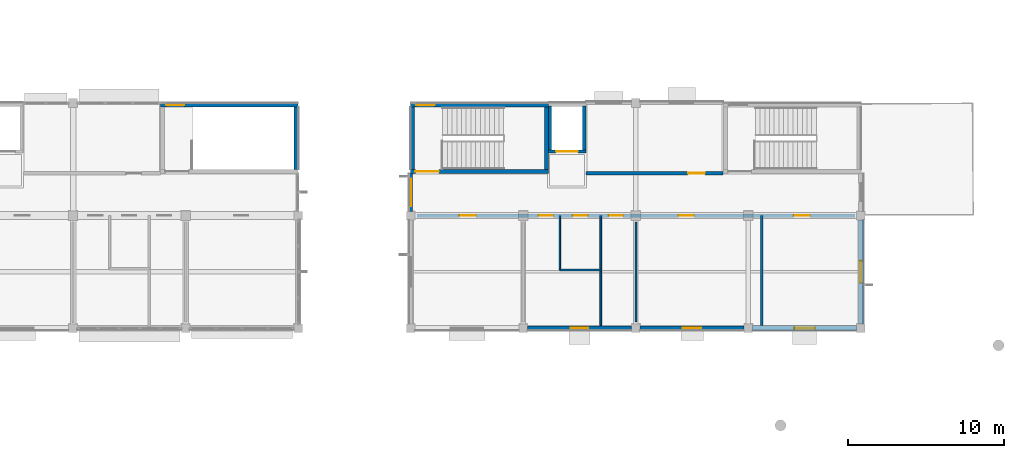
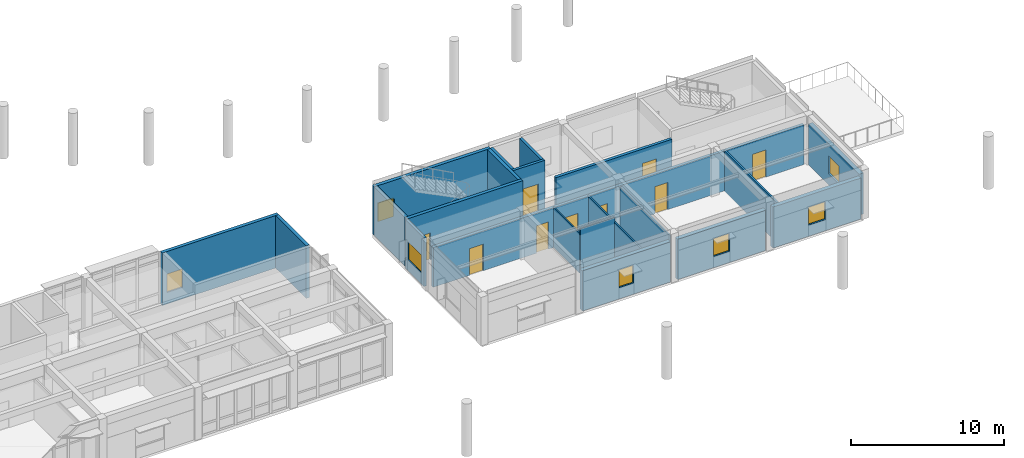
# One storey, part 19 of 41: 21 walls, 9 doors, 7 windows, 16 openings.
"""IFC4 building model written with IfcOpenShell, lengths in metres."""

from ifc_helpers import new_model, si_unit, direction, frame, frame_2d, origin, place, context, subcontext, project, spatial, rectangle, extrude, material, layer, layer_set, type_object, element, fill, save


model = new_model("IFC4")

# Units and contexts
model_context = context("Model", 3, precision=1e-05, world=origin(), true_north=direction((0.0, 1.0)))
body_context = subcontext(model_context, "Body", "Model", "MODEL_VIEW")
ifc_project = project(units=[si_unit("LENGTHUNIT", "METRE"), si_unit("AREAUNIT", "SQUARE_METRE"), si_unit("VOLUMEUNIT", "CUBIC_METRE"), si_unit("PLANEANGLEUNIT", "RADIAN"), si_unit("MASSUNIT", "GRAM", prefix="KILO")], contexts=[model_context])

# Site, building, storey
site_placement = place(None, origin())
site = spatial("IfcSite", under=ifc_project, at=site_placement, CompositionType="ELEMENT")
building_placement = place(site_placement, origin())
building = spatial("IfcBuilding", under=site, at=building_placement, Name="Namkhue Oval Health Centre", CompositionType="ELEMENT")
storey_placement = place(building_placement, frame((0.0, 0.0, 13.800048828125)))
storey = spatial("IfcBuildingStorey", under=building, at=storey_placement, Name="L03", CompositionType="ELEMENT", Elevation=13.800048828125)

# Wall, opening, window
ifc_material_1 = material(Name="Autoclaved aerated concrete blockwork M7.5", Category="masonry")
ifc_layer_1 = layer(ifc_material_1, 0.199951171875)
ifc_layer_set_1 = layer_set([ifc_layer_1], Name="Autoclaved aerated concrete blockwork M7.5")
wall_type_1 = type_object("IfcWallType", Name="EXTERIOR ENVELOPE WALL 200", PredefinedType="STANDARD", material=ifc_layer_set_1)
wall_1_placement = place(storey_placement, frame((93.60009765625, 24.298095703125, 0.0), z_axis=(0.0, 0.0, 1.0), x_axis=(0.0, -1.0, 0.0)))
wall_1 = element("IfcWall", 1, at=wall_1_placement, inside=storey, type_object=wall_type_1, Name="Volume V5 L03 Exterior Envelope Wall 147", PredefinedType="STANDARD", context=body_context, shape_type="SweptSolid", body=[
    extrude(rectangle(XDim=2.427001953125, YDim=0.199951171875, at=frame_2d((1.21337890625, 0.0))), origin(), (0.0, 0.0, 1.0), 3.8798828125),
])
opening_1_placement = place(wall_1_placement, frame((0.33837890625, 0.0, 0.89990234375)))
opening_1 = element("IfcOpeningElement", 2, at=opening_1_placement, cuts=wall_1, Name="Opening WN-17", PredefinedType="OPENING", context=body_context, shape_type="SweptSolid", body=[
    extrude(rectangle(XDim=1.75, YDim=1.419921875, at=frame_2d((0.875, 0.7099609375))), frame((0.0, 0.10986328125, 0.0), z_axis=(0.0, -1.0, 0.0), x_axis=(1.0, 0.0, 0.0)), (0.0, 0.0, 1.0), 0.219970703125),
])
ifc_material_2 = material(Name="Thermally broken low-E laminated double glazing", Category="glass")
window_type_1 = type_object("IfcWindowType", Name="EXTERIOR WINDOW 1750X1420", PartitioningType="SINGLE_PANEL", PredefinedType="WINDOW", material=ifc_material_2)
window_1_placement = place(opening_1_placement, origin())
window_1 = element("IfcWindow", 3, at=window_1_placement, inside=storey, type_object=window_type_1, Name="Volume V5 L03 Exterior Window 107", OverallHeight=1.419921875, OverallWidth=1.75, PartitioningType="SINGLE_PANEL", PredefinedType="WINDOW", context=body_context, shape_type="SweptSolid", body=[
    extrude(rectangle(XDim=1.75, YDim=1.419921875, at=frame_2d((0.875, 0.7099609375))), frame((0.0, 0.030029296875, 0.0), z_axis=(0.0, -1.0, 0.0), x_axis=(1.0, 0.0, 0.0)), (0.0, 0.0, 1.0), 0.06005859375),
])
fill(opening_1, window_1)

ifc_layer_2 = layer(ifc_material_1, 0.2900390625)
ifc_layer_set_2 = layer_set([ifc_layer_2], Name="Autoclaved aerated concrete blockwork M7.5")
wall_type_2 = type_object("IfcWallType", Name="EXTERIOR ENVELOPE WALL 290", PredefinedType="STANDARD", material=ifc_layer_set_2)
wall_2_placement = place(storey_placement, frame((101.071044921875, 14.39990234375, 0.0), z_axis=(0.0, 0.0, 1.0), x_axis=(1.0, 0.0, 0.0)))
wall_2 = element("IfcWall", 4, at=wall_2_placement, inside=storey, type_object=wall_type_2, Name="Volume V5 L03 Exterior Envelope Wall 140", PredefinedType="STANDARD", context=body_context, shape_type="SweptSolid", body=[
    extrude(rectangle(XDim=6.657958984375, YDim=0.2900390625, at=frame_2d((3.3291015625, 0.0))), origin(), (0.0, 0.0, 1.0), 3.22998046875),
])
opening_2_placement = place(wall_2_placement, frame((2.779052734375, 0.0, 0.89990234375)))
opening_2 = element("IfcOpeningElement", 5, at=opening_2_placement, cuts=wall_2, Name="Opening WN-11", PredefinedType="OPENING", context=body_context, shape_type="SweptSolid", body=[
    extrude(rectangle(XDim=1.10009765625, YDim=1.419921875, at=frame_2d((0.550048828125, 0.7099609375))), frame((0.0, 0.155029296875, 0.0), z_axis=(0.0, -1.0, 0.0), x_axis=(1.0, 0.0, 0.0)), (0.0, 0.0, 1.0), 0.31005859375),
])
window_type_2 = type_object("IfcWindowType", Name="EXTERIOR WINDOW 1100X1420", PartitioningType="SINGLE_PANEL", PredefinedType="WINDOW", material=ifc_material_2)
window_2_placement = place(opening_2_placement, origin())
window_2 = element("IfcWindow", 6, at=window_2_placement, inside=storey, type_object=window_type_2, Name="Volume V5 L03 Exterior Window 101", OverallHeight=1.419921875, OverallWidth=1.10009765625, PartitioningType="SINGLE_PANEL", PredefinedType="WINDOW", context=body_context, shape_type="SweptSolid", body=[
    extrude(rectangle(XDim=1.10009765625, YDim=1.419921875, at=frame_2d((0.550048828125, 0.7099609375))), frame((0.0, 0.030029296875, 0.0), z_axis=(0.0, -1.0, 0.0), x_axis=(1.0, 0.0, 0.0)), (0.0, 0.0, 1.0), 0.06005859375),
])
fill(opening_2, window_2)

ifc_layer_3 = layer(ifc_material_1, 0.300048828125)
ifc_layer_set_3 = layer_set([ifc_layer_3], Name="Autoclaved aerated concrete blockwork M7.5")
wall_type_3 = type_object("IfcWallType", Name="EXTERIOR ENVELOPE WALL 300", PredefinedType="STANDARD", material=ifc_layer_set_3)
wall_3_placement = place(storey_placement, frame((108.27099609375, 14.39990234375, 0.0), z_axis=(0.0, 0.0, 1.0), x_axis=(1.0, 0.0, 0.0)))
wall_3 = element("IfcWall", 7, at=wall_3_placement, inside=storey, type_object=wall_type_3, Name="Volume V5 L03 Exterior Envelope Wall 141", PredefinedType="STANDARD", context=body_context, shape_type="SweptSolid", body=[
    extrude(rectangle(XDim=6.657958984375, YDim=0.300048828125, at=frame_2d((3.3291015625, 0.0))), origin(), (0.0, 0.0, 1.0), 3.22998046875),
])
opening_3_placement = place(wall_3_placement, frame((2.72900390625, 0.0, 0.89990234375)))
opening_3 = element("IfcOpeningElement", 8, at=opening_3_placement, cuts=wall_3, Name="Opening WN-12", PredefinedType="OPENING", context=body_context, shape_type="SweptSolid", body=[
    extrude(rectangle(XDim=1.199951171875, YDim=1.419921875, at=frame_2d((0.60009765625, 0.7099609375))), frame((0.0, 0.159912109375, 0.0), z_axis=(0.0, -1.0, 0.0), x_axis=(1.0, 0.0, 0.0)), (0.0, 0.0, 1.0), 0.320068359375),
])
window_type_3 = type_object("IfcWindowType", Name="EXTERIOR WINDOW 1200X1420", PartitioningType="SINGLE_PANEL", PredefinedType="WINDOW", material=ifc_material_2)
window_3_placement = place(opening_3_placement, origin())
window_3 = element("IfcWindow", 9, at=window_3_placement, inside=storey, type_object=window_type_3, Name="Volume V5 L03 Exterior Window 102", OverallHeight=1.419921875, OverallWidth=1.199951171875, PartitioningType="SINGLE_PANEL", PredefinedType="WINDOW", context=body_context, shape_type="SweptSolid", body=[
    extrude(rectangle(XDim=1.199951171875, YDim=1.419921875, at=frame_2d((0.60009765625, 0.7099609375))), frame((0.0, 0.030029296875, 0.0), z_axis=(0.0, -1.0, 0.0), x_axis=(1.0, 0.0, 0.0)), (0.0, 0.0, 1.0), 0.06005859375),
])
fill(opening_3, window_3)

ifc_layer_4 = layer(ifc_material_1, 0.31005859375)
ifc_layer_set_4 = layer_set([ifc_layer_4], Name="Autoclaved aerated concrete blockwork M7.5")
wall_type_4 = type_object("IfcWallType", Name="EXTERIOR ENVELOPE WALL 310", PredefinedType="STANDARD", material=ifc_layer_set_4)
wall_4_placement = place(storey_placement, frame((115.470947265625, 14.39990234375, 0.0), z_axis=(0.0, 0.0, 1.0), x_axis=(1.0, 0.0, 0.0)))
wall_4 = element("IfcWall", 10, at=wall_4_placement, inside=storey, type_object=wall_type_4, Name="Volume V5 L03 Exterior Envelope Wall 142", PredefinedType="STANDARD", context=body_context, shape_type="SweptSolid", body=[
    extrude(rectangle(XDim=6.657958984375, YDim=0.31005859375, at=frame_2d((3.3291015625, 0.0))), origin(), (0.0, 0.0, 1.0), 3.27783203125),
])
opening_4_placement = place(wall_4_placement, frame((2.678955078125, 0.0, 0.89990234375)))
opening_4 = element("IfcOpeningElement", 11, at=opening_4_placement, cuts=wall_4, Name="Opening WN-13", PredefinedType="OPENING", context=body_context, shape_type="SweptSolid", body=[
    extrude(rectangle(XDim=1.300048828125, YDim=1.419921875, at=frame_2d((0.64990234375, 0.7099609375))), frame((0.0, 0.1650390625, 0.0), z_axis=(0.0, -1.0, 0.0), x_axis=(1.0, 0.0, 0.0)), (0.0, 0.0, 1.0), 0.330078125),
])
window_type_4 = type_object("IfcWindowType", Name="EXTERIOR WINDOW 1300X1420", PartitioningType="SINGLE_PANEL", PredefinedType="WINDOW", material=ifc_material_2)
window_4_placement = place(opening_4_placement, origin())
window_4 = element("IfcWindow", 12, at=window_4_placement, inside=storey, type_object=window_type_4, Name="Volume V5 L03 Exterior Window 103", OverallHeight=1.419921875, OverallWidth=1.300048828125, PartitioningType="SINGLE_PANEL", PredefinedType="WINDOW", context=body_context, shape_type="SweptSolid", body=[
    extrude(rectangle(XDim=1.300048828125, YDim=1.419921875, at=frame_2d((0.64990234375, 0.7099609375))), frame((0.0, 0.030029296875, 0.0), z_axis=(0.0, -1.0, 0.0), x_axis=(1.0, 0.0, 0.0)), (0.0, 0.0, 1.0), 0.06005859375),
])
fill(opening_4, window_4)

ifc_layer_5 = layer(ifc_material_1, 0.320068359375)
ifc_layer_set_5 = layer_set([ifc_layer_5], Name="Autoclaved aerated concrete blockwork M7.5")
wall_type_5 = type_object("IfcWallType", Name="EXTERIOR ENVELOPE WALL 320", PredefinedType="STANDARD", material=ifc_layer_set_5)
wall_5_placement = place(storey_placement, frame((122.39990234375, 14.6708984375, 0.0), z_axis=(0.0, 0.0, 1.0), x_axis=(0.0, 1.0, 0.0)))
wall_5 = element("IfcWall", 13, at=wall_5_placement, inside=storey, type_object=wall_type_5, Name="Volume V5 L03 Exterior Envelope Wall 143", PredefinedType="STANDARD", context=body_context, shape_type="SweptSolid", body=[
    extrude(rectangle(XDim=6.658203125, YDim=0.320068359375, at=frame_2d((3.3291015625, 0.0))), origin(), (0.0, 0.0, 1.0), 3.27783203125),
])
opening_5_placement = place(wall_5_placement, frame((2.62890625, 0.0, 0.89990234375)))
opening_5 = element("IfcOpeningElement", 14, at=opening_5_placement, cuts=wall_5, Name="Opening WN-14", PredefinedType="OPENING", context=body_context, shape_type="SweptSolid", body=[
    extrude(rectangle(XDim=1.39990234375, YDim=1.419921875, at=frame_2d((0.699951171875, 0.7099609375))), frame((0.0, 0.169921875, 0.0), z_axis=(0.0, -1.0, 0.0), x_axis=(1.0, 0.0, 0.0)), (0.0, 0.0, 1.0), 0.340087890625),
])
window_type_5 = type_object("IfcWindowType", Name="EXTERIOR WINDOW 1400X1420", PartitioningType="SINGLE_PANEL", PredefinedType="WINDOW", material=ifc_material_2)
window_5_placement = place(opening_5_placement, origin())
window_5 = element("IfcWindow", 15, at=window_5_placement, inside=storey, type_object=window_type_5, Name="Volume V5 L03 Exterior Window 104", OverallHeight=1.419921875, OverallWidth=1.39990234375, PartitioningType="SINGLE_PANEL", PredefinedType="WINDOW", context=body_context, shape_type="SweptSolid", body=[
    extrude(rectangle(XDim=1.39990234375, YDim=1.419921875, at=frame_2d((0.699951171875, 0.7099609375))), frame((0.0, 0.030029296875, 0.0), z_axis=(0.0, -1.0, 0.0), x_axis=(1.0, 0.0, 0.0)), (0.0, 0.0, 1.0), 0.06005859375),
])
fill(opening_5, window_5)

# Wall, openings, doors
ifc_material_3 = material(Name="Lead-lined barium plasterboard radiation partition", Category="gypsum")
ifc_layer_6 = layer(ifc_material_3, 0.22509765625)
ifc_layer_set_6 = layer_set([ifc_layer_6], Name="Lead-lined barium plasterboard radiation partition")
wall_type_6 = type_object("IfcWallType", Name="FIRE PARTITION WALL 225", PredefinedType="PARTITIONING", material=ifc_layer_set_6)
wall_6_placement = place(storey_placement, frame((93.989013671875, 21.60009765625, 0.0), z_axis=(0.0, 0.0, 1.0), x_axis=(1.0, 0.0, 0.0)))
wall_6 = element("IfcWall", 16, at=wall_6_placement, inside=storey, type_object=wall_type_6, Name="Volume V5 L03 Clinical Partition Wall 237", PredefinedType="PARTITIONING", context=body_context, shape_type="SweptSolid", body=[
    extrude(rectangle(XDim=28.02197265625, YDim=0.22509765625, at=frame_2d((14.010986328125, 0.0))), origin(), (0.0, 0.0, 1.0), 3.179931640625),
])
opening_6_placement = place(wall_6_placement, frame((2.72900390625, 0.0, 0.0)))
opening_6 = element("IfcOpeningElement", 17, at=opening_6_placement, cuts=wall_6, Name="Opening CD-10", PredefinedType="OPENING", context=body_context, shape_type="SweptSolid", body=[
    extrude(rectangle(XDim=1.050048828125, YDim=2.1298828125, at=frame_2d((0.52490234375, 1.06494140625))), frame((0.0, 0.12255859375, 0.0), z_axis=(0.0, -1.0, 0.0), x_axis=(1.0, 0.0, 0.0)), (0.0, 0.0, 1.0), 0.2451171875),
])
opening_7_placement = place(wall_6_placement, frame((7.791015625, 0.0, 0.0)))
opening_7 = element("IfcOpeningElement", 18, at=opening_7_placement, cuts=wall_6, Name="Opening CD-13", PredefinedType="OPENING", context=body_context, shape_type="SweptSolid", body=[
    extrude(rectangle(XDim=0.919921875, YDim=2.179931640625, at=frame_2d((0.4599609375, 1.08984375))), frame((0.0, 0.12255859375, 0.0), z_axis=(0.0, -1.0, 0.0), x_axis=(1.0, 0.0, 0.0)), (0.0, 0.0, 1.0), 0.2451171875),
])
opening_8_placement = place(wall_6_placement, frame((9.9912109375, 0.0, 0.0)))
opening_8 = element("IfcOpeningElement", 19, at=opening_8_placement, cuts=wall_6, Name="Opening CD-02", PredefinedType="OPENING", context=body_context, shape_type="SweptSolid", body=[
    extrude(rectangle(XDim=0.93994140625, YDim=2.080078125, at=frame_2d((0.469970703125, 1.0400390625))), frame((0.0, 0.12255859375, 0.0), z_axis=(0.0, -1.0, 0.0), x_axis=(1.0, 0.0, 0.0)), (0.0, 0.0, 1.0), 0.2451171875),
])
opening_9_placement = place(wall_6_placement, frame((12.281005859375, 0.0, 0.0)))
opening_9 = element("IfcOpeningElement", 20, at=opening_9_placement, cuts=wall_6, Name="Opening CD-01", PredefinedType="OPENING", context=body_context, shape_type="SweptSolid", body=[
    extrude(rectangle(XDim=0.89990234375, YDim=2.080078125, at=frame_2d((0.449951171875, 1.0400390625))), frame((0.0, 0.12255859375, 0.0), z_axis=(0.0, -1.0, 0.0), x_axis=(1.0, 0.0, 0.0)), (0.0, 0.0, 1.0), 0.2451171875),
])
opening_10_placement = place(wall_6_placement, frame((16.756103515625, 0.0, 0.0)))
opening_10 = element("IfcOpeningElement", 21, at=opening_10_placement, cuts=wall_6, Name="Opening CD-14", PredefinedType="OPENING", context=body_context, shape_type="SweptSolid", body=[
    extrude(rectangle(XDim=0.969970703125, YDim=2.179931640625, at=frame_2d((0.48486328125, 1.08984375))), frame((0.0, 0.12255859375, 0.0), z_axis=(0.0, -1.0, 0.0), x_axis=(1.0, 0.0, 0.0)), (0.0, 0.0, 1.0), 0.2451171875),
])
opening_11_placement = place(wall_6_placement, frame((24.114013671875, 0.0, 0.0)))
opening_11 = element("IfcOpeningElement", 22, at=opening_11_placement, cuts=wall_6, Name="Opening CD-15", PredefinedType="OPENING", context=body_context, shape_type="SweptSolid", body=[
    extrude(rectangle(XDim=1.030029296875, YDim=2.179931640625, at=frame_2d((0.51513671875, 1.08984375))), frame((0.0, 0.12255859375, 0.0), z_axis=(0.0, -1.0, 0.0), x_axis=(1.0, 0.0, 0.0)), (0.0, 0.0, 1.0), 0.2451171875),
])
ifc_material_4 = material(Name="High-pressure laminate timber clinical door", Category="wood")
door_type_1 = type_object("IfcDoorType", Name="CLINICAL DOOR 1030X2180", OperationType="NOTDEFINED", PredefinedType="DOOR", material=ifc_material_4)
door_1_placement = place(opening_11_placement, frame((1.030029296875, 0.0, 0.0), z_axis=(0.0, 0.0, 1.0), x_axis=(-1.0, 0.0, 0.0)))
door_1 = element("IfcDoor", 23, at=door_1_placement, inside=storey, type_object=door_type_1, Name="Volume V5 L03 Courtyard Terrace Calm Lounge Door 211", OperationType="SINGLE_SWING_LEFT", OverallHeight=2.179931640625, OverallWidth=1.030029296875, PredefinedType="DOOR", context=body_context, shape_type="SweptSolid", body=[
    extrude(rectangle(XDim=1.030029296875, YDim=2.179931640625, at=frame_2d((0.51513671875, 1.08984375))), frame((0.0, 0.02490234375, 0.0), z_axis=(0.0, -1.0, 0.0), x_axis=(1.0, 0.0, 0.0)), (0.0, 0.0, 1.0), 0.050048828125),
])
fill(opening_11, door_1)
door_type_2 = type_object("IfcDoorType", Name="CLINICAL DOOR 1050X2130", OperationType="NOTDEFINED", PredefinedType="DOOR", material=ifc_material_4)
door_2_placement = place(opening_6_placement, frame((1.050048828125, 0.0, 0.0), z_axis=(0.0, 0.0, 1.0), x_axis=(-1.0, 0.0, 0.0)))
door_2 = element("IfcDoor", 24, at=door_2_placement, inside=storey, type_object=door_type_2, Name="Volume V5 L03 Child Adolescent Counselling Door 206", OperationType="SINGLE_SWING_RIGHT", OverallHeight=2.1298828125, OverallWidth=1.050048828125, PredefinedType="DOOR", context=body_context, shape_type="SweptSolid", body=[
    extrude(rectangle(XDim=1.050048828125, YDim=2.1298828125, at=frame_2d((0.52490234375, 1.06494140625))), frame((0.0, 0.02490234375, 0.0), z_axis=(0.0, -1.0, 0.0), x_axis=(1.0, 0.0, 0.0)), (0.0, 0.0, 1.0), 0.050048828125),
])
fill(opening_6, door_2)
door_type_3 = type_object("IfcDoorType", Name="CLINICAL DOOR 900X2080", OperationType="NOTDEFINED", PredefinedType="DOOR", material=ifc_material_4)
door_3_placement = place(opening_9_placement, frame((0.89990234375, 0.0, 0.0), z_axis=(0.0, 0.0, 1.0), x_axis=(-1.0, 0.0, 0.0)))
door_3 = element("IfcDoor", 25, at=door_3_placement, inside=storey, type_object=door_type_3, Name="Volume V5 L03 Patient Washroom Door 209", OperationType="SINGLE_SWING_RIGHT", OverallHeight=2.080078125, OverallWidth=0.89990234375, PredefinedType="DOOR", context=body_context, shape_type="SweptSolid", body=[
    extrude(rectangle(XDim=0.89990234375, YDim=2.080078125, at=frame_2d((0.449951171875, 1.0400390625))), frame((0.0, 0.02490234375, 0.0), z_axis=(0.0, -1.0, 0.0), x_axis=(1.0, 0.0, 0.0)), (0.0, 0.0, 1.0), 0.050048828125),
])
fill(opening_9, door_3)
door_type_4 = type_object("IfcDoorType", Name="CLINICAL DOOR 920X2180", OperationType="NOTDEFINED", PredefinedType="DOOR", material=ifc_material_4)
door_4_placement = place(opening_7_placement, frame((0.919921875, 0.0, 0.0), z_axis=(0.0, 0.0, 1.0), x_axis=(-1.0, 0.0, 0.0)))
door_4 = element("IfcDoor", 26, at=door_4_placement, inside=storey, type_object=door_type_4, Name="Volume V5 L03 Clean Clinical Supply Utility Door 207", OperationType="SINGLE_SWING_LEFT", OverallHeight=2.179931640625, OverallWidth=0.919921875, PredefinedType="DOOR", context=body_context, shape_type="SweptSolid", body=[
    extrude(rectangle(XDim=0.919921875, YDim=2.179931640625, at=frame_2d((0.4599609375, 1.08984375))), frame((0.0, 0.02490234375, 0.0), z_axis=(0.0, -1.0, 0.0), x_axis=(1.0, 0.0, 0.0)), (0.0, 0.0, 1.0), 0.050048828125),
])
fill(opening_7, door_4)
door_type_5 = type_object("IfcDoorType", Name="CLINICAL DOOR 940X2080", OperationType="NOTDEFINED", PredefinedType="DOOR", material=ifc_material_4)
door_5_placement = place(opening_8_placement, frame((0.93994140625, 0.0, 0.0), z_axis=(0.0, 0.0, 1.0), x_axis=(-1.0, 0.0, 0.0)))
door_5 = element("IfcDoor", 27, at=door_5_placement, inside=storey, type_object=door_type_5, Name="Volume V5 L03 Accessible WC Door 208", OperationType="SINGLE_SWING_RIGHT", OverallHeight=2.080078125, OverallWidth=0.93994140625, PredefinedType="DOOR", context=body_context, shape_type="SweptSolid", body=[
    extrude(rectangle(XDim=0.93994140625, YDim=2.080078125, at=frame_2d((0.469970703125, 1.0400390625))), frame((0.0, 0.02490234375, 0.0), z_axis=(0.0, -1.0, 0.0), x_axis=(1.0, 0.0, 0.0)), (0.0, 0.0, 1.0), 0.050048828125),
])
fill(opening_8, door_5)
door_type_6 = type_object("IfcDoorType", Name="CLINICAL DOOR 970X2180", OperationType="NOTDEFINED", PredefinedType="DOOR", material=ifc_material_4)
door_6_placement = place(opening_10_placement, frame((0.969970703125, 0.0, 0.0), z_axis=(0.0, 0.0, 1.0), x_axis=(-1.0, 0.0, 0.0)))
door_6 = element("IfcDoor", 28, at=door_6_placement, inside=storey, type_object=door_type_6, Name="Volume V5 L03 Psychological Assessment Clinic Door 210", OperationType="SINGLE_SWING_RIGHT", OverallHeight=2.179931640625, OverallWidth=0.969970703125, PredefinedType="DOOR", context=body_context, shape_type="SweptSolid", body=[
    extrude(rectangle(XDim=0.969970703125, YDim=2.179931640625, at=frame_2d((0.48486328125, 1.08984375))), frame((0.0, 0.02490234375, 0.0), z_axis=(0.0, -1.0, 0.0), x_axis=(1.0, 0.0, 0.0)), (0.0, 0.0, 1.0), 0.050048828125),
])
fill(opening_10, door_6)

# Wall, opening, door
wall_7_placement = place(storey_placement, frame((104.820068359375, 24.300048828125, 0.0), z_axis=(0.0, 0.0, 1.0), x_axis=(1.0, 0.0, 0.0)))
wall_7 = element("IfcWall", 29, at=wall_7_placement, inside=storey, type_object=wall_type_6, Name="Volume V5 L03 Clinical Partition Wall 244", PredefinedType="PARTITIONING", context=body_context, shape_type="SweptSolid", body=[
    extrude(rectangle(XDim=8.760009765625, YDim=0.22509765625, at=frame_2d((4.3798828125, 0.0))), origin(), (0.0, 0.0, 1.0), 3.329833984375),
])
opening_12_placement = place(wall_7_placement, frame((6.52490234375, 0.0, 0.0)))
opening_12 = element("IfcOpeningElement", 30, at=opening_12_placement, cuts=wall_7, Name="Opening CD-16", PredefinedType="OPENING", context=body_context, shape_type="SweptSolid", body=[
    extrude(rectangle(XDim=1.080078125, YDim=2.179931640625, at=frame_2d((0.5400390625, 1.08984375))), frame((0.0, 0.12255859375, 0.0), z_axis=(0.0, -1.0, 0.0), x_axis=(1.0, 0.0, 0.0)), (0.0, 0.0, 1.0), 0.2451171875),
])
door_type_7 = type_object("IfcDoorType", Name="CLINICAL DOOR 1080X2180", OperationType="NOTDEFINED", PredefinedType="DOOR", material=ifc_material_4)
door_7_placement = place(opening_12_placement, origin())
door_7 = element("IfcDoor", 31, at=door_7_placement, inside=storey, type_object=door_type_7, Name="Volume V5 L03 Family Systemic Therapy Suite Door 212", OperationType="SINGLE_SWING_RIGHT", OverallHeight=2.179931640625, OverallWidth=1.080078125, PredefinedType="DOOR", context=body_context, shape_type="SweptSolid", body=[
    extrude(rectangle(XDim=1.080078125, YDim=2.179931640625, at=frame_2d((0.5400390625, 1.08984375))), frame((0.0, 0.02490234375, 0.0), z_axis=(0.0, -1.0, 0.0), x_axis=(1.0, 0.0, 0.0)), (0.0, 0.0, 1.0), 0.050048828125),
])
fill(opening_12, door_7)

# Walls
ifc_material_5 = material(Name="Gypsum plasterboard acoustic partition", Category="gypsum")
ifc_layer_7 = layer(ifc_material_5, 0.10009765625)
ifc_layer_set_7 = layer_set([ifc_layer_7], Name="Gypsum plasterboard acoustic partition")
wall_type_7 = type_object("IfcWallType", Name="INTERIOR PARTITION WALL 100", PredefinedType="PARTITIONING", material=ifc_layer_set_7)
wall_8_placement = place(storey_placement, frame((103.139892578125, 18.1201171875, 0.0), z_axis=(0.0, 0.0, 1.0), x_axis=(0.0, 1.0, 0.0)))
element("IfcWall", 32, at=wall_8_placement, inside=storey, type_object=wall_type_7, Name="Volume V5 L03 Clinical Partition Wall 239", PredefinedType="PARTITIONING", context=body_context, shape_type="SweptSolid", body=[
    extrude(rectangle(XDim=3.47998046875, YDim=0.10009765625, at=frame_2d((1.739990234375, 0.0))), origin(), (0.0, 0.0, 1.0), 3.179931640625),
])
ifc_layer_8 = layer(ifc_material_5, 0.110107421875)
ifc_layer_set_8 = layer_set([ifc_layer_8], Name="Gypsum plasterboard acoustic partition")
wall_type_8 = type_object("IfcWallType", Name="INTERIOR PARTITION WALL 110", PredefinedType="PARTITIONING", material=ifc_layer_set_8)
wall_9_placement = place(storey_placement, frame((103.139892578125, 18.1201171875, 0.0), z_axis=(0.0, 0.0, 1.0), x_axis=(1.0, 0.0, 0.0)))
element("IfcWall", 33, at=wall_9_placement, inside=storey, type_object=wall_type_8, Name="Volume V5 L03 Clinical Partition Wall 240", PredefinedType="PARTITIONING", context=body_context, shape_type="SweptSolid", body=[
    extrude(rectangle(XDim=2.6201171875, YDim=0.110107421875, at=frame_2d((1.31005859375, 0.0))), origin(), (0.0, 0.0, 1.0), 3.579833984375),
])
ifc_layer_9 = layer(ifc_material_5, 0.1201171875)
ifc_layer_set_9 = layer_set([ifc_layer_9], Name="Gypsum plasterboard acoustic partition")
wall_type_9 = type_object("IfcWallType", Name="INTERIOR PARTITION WALL 120", PredefinedType="PARTITIONING", material=ifc_layer_set_9)
wall_10_placement = place(storey_placement, frame((105.760009765625, 14.56689453125, 0.0), z_axis=(0.0, 0.0, 1.0), x_axis=(0.0, 1.0, 0.0)))
element("IfcWall", 34, at=wall_10_placement, inside=storey, type_object=wall_type_9, Name="Volume V5 L03 Clinical Partition Wall 241", PredefinedType="PARTITIONING", context=body_context, shape_type="SweptSolid", body=[
    extrude(rectangle(XDim=7.033203125, YDim=0.1201171875, at=frame_2d((3.5166015625, 0.0))), origin(), (0.0, 0.0, 1.0), 3.179931640625),
])
ifc_layer_10 = layer(ifc_material_5, 0.1298828125)
ifc_layer_set_10 = layer_set([ifc_layer_10], Name="Gypsum plasterboard acoustic partition")
wall_type_10 = type_object("IfcWallType", Name="INTERIOR PARTITION WALL 130", PredefinedType="PARTITIONING", material=ifc_layer_set_10)
wall_11_placement = place(storey_placement, frame((108.0, 14.788818359375, 0.0), z_axis=(0.0, 0.0, 1.0), x_axis=(0.0, 1.0, 0.0)))
element("IfcWall", 35, at=wall_11_placement, inside=storey, type_object=wall_type_10, Name="Volume V5 L03 Clinical Partition Wall 242", PredefinedType="PARTITIONING", context=body_context, shape_type="SweptSolid", body=[
    extrude(rectangle(XDim=6.386962890625, YDim=0.1298828125, at=frame_2d((3.193359375, 0.0))), origin(), (0.0, 0.0, 1.0), 3.329833984375),
])
ifc_layer_11 = layer(ifc_material_5, 0.139892578125)
ifc_layer_set_11 = layer_set([ifc_layer_11], Name="Gypsum plasterboard acoustic partition")
wall_type_11 = type_object("IfcWallType", Name="INTERIOR PARTITION WALL 140", PredefinedType="PARTITIONING", material=ifc_layer_set_11)
wall_12_placement = place(storey_placement, frame((116.053955078125, 14.576904296875, 0.0), z_axis=(0.0, 0.0, 1.0), x_axis=(0.0, 1.0, 0.0)))
element("IfcWall", 36, at=wall_12_placement, inside=storey, type_object=wall_type_11, Name="Volume V5 L03 Clinical Partition Wall 243", PredefinedType="PARTITIONING", context=body_context, shape_type="SweptSolid", body=[
    extrude(rectangle(XDim=7.023193359375, YDim=0.139892578125, at=frame_2d((3.51171875, 0.0))), origin(), (0.0, 0.0, 1.0), 3.22802734375),
])
ifc_material_6 = material(Name="Reinforced concrete C35/45 (TCVN B40)", Category="concrete")
ifc_layer_12 = layer(ifc_material_6, 0.25)
ifc_layer_set_12 = layer_set([ifc_layer_12], Name="Reinforced concrete C35/45 (TCVN B40)")
wall_type_12 = type_object("IfcWallType", Name="SHEAR CORE WALL EXT 250", PredefinedType="SHEAR", material=ifc_layer_set_12)
wall_13_placement = place(storey_placement, frame((86.27490234375, 24.550048828125, 0.0), z_axis=(0.0, 0.0, 1.0), x_axis=(0.0, 1.0, 0.0)))
element("IfcWall", 37, at=wall_13_placement, inside=storey, type_object=wall_type_12, Name="Core SC-08 L03 Shear Wall E", PredefinedType="SHEAR", context=body_context, shape_type="SweptSolid", body=[
    extrude(rectangle(XDim=4.0, YDim=0.25, at=frame_2d((2.0, 0.0))), origin(), (0.0, 0.0, 1.0), 4.199951171875),
])

# Wall, opening, window
wall_14_placement = place(storey_placement, frame((86.39990234375, 28.675048828125, 0.0), z_axis=(0.0, 0.0, 1.0), x_axis=(-1.0, 0.0, 0.0)))
wall_14 = element("IfcWall", 38, at=wall_14_placement, inside=storey, type_object=wall_type_12, Name="Core SC-08 L03 Shear Wall N", PredefinedType="SHEAR", context=body_context, shape_type="SweptSolid", body=[
    extrude(rectangle(XDim=8.7998046875, YDim=0.25, at=frame_2d((4.39990234375, 0.0))), origin(), (0.0, 0.0, 1.0), 4.199951171875),
])
opening_13_placement = place(wall_14_placement, frame((7.27001953125, 0.0, 0.919921875)))
opening_13 = element("IfcOpeningElement", 39, at=opening_13_placement, cuts=wall_14, Name="Opening SWN-01", PredefinedType="OPENING", context=body_context, shape_type="SweptSolid", body=[
    extrude(rectangle(XDim=1.179931640625, YDim=1.47998046875, at=frame_2d((0.58984375, 0.739990234375))), frame((0.0, 0.135009765625, 0.0), z_axis=(0.0, -1.0, 0.0), x_axis=(1.0, 0.0, 0.0)), (0.0, 0.0, 1.0), 0.27001953125),
])
ifc_material_7 = material(Name="Fire-rated insulated safety double glazing", Category="glass")
window_type_6 = type_object("IfcWindowType", Name="EXTERIOR WINDOW STAIRWELL 1180X1480", PartitioningType="SINGLE_PANEL", PredefinedType="WINDOW", material=ifc_material_7)
window_6_placement = place(opening_13_placement, origin())
window_6 = element("IfcWindow", 40, at=window_6_placement, inside=storey, type_object=window_type_6, Name="Stair ST-08 L03 Stairwell Daylight Window", OverallHeight=1.47998046875, OverallWidth=1.179931640625, PartitioningType="SINGLE_PANEL", PredefinedType="WINDOW", context=body_context, shape_type="SweptSolid", body=[
    extrude(rectangle(XDim=1.179931640625, YDim=1.47998046875, at=frame_2d((0.58984375, 0.739990234375))), frame((0.0, 0.030029296875, 0.0), z_axis=(0.0, -1.0, 0.0), x_axis=(1.0, 0.0, 0.0)), (0.0, 0.0, 1.0), 0.06005859375),
])
fill(opening_13, window_6)

wall_15_placement = place(storey_placement, frame((102.39990234375, 28.675048828125, 0.0), z_axis=(0.0, 0.0, 1.0), x_axis=(-1.0, 0.0, 0.0)))
wall_15 = element("IfcWall", 41, at=wall_15_placement, inside=storey, type_object=wall_type_12, Name="Core SC-09 L03 Shear Wall N", PredefinedType="SHEAR", context=body_context, shape_type="SweptSolid", body=[
    extrude(rectangle(XDim=8.7998046875, YDim=0.25, at=frame_2d((4.39990234375, 0.0))), origin(), (0.0, 0.0, 1.0), 3.8798828125),
])
opening_14_placement = place(wall_15_placement, frame((7.27001953125, 0.0, 0.919921875)))
opening_14 = element("IfcOpeningElement", 42, at=opening_14_placement, cuts=wall_15, Name="Opening SWN-01", PredefinedType="OPENING", context=body_context, shape_type="SweptSolid", body=[
    extrude(rectangle(XDim=1.179931640625, YDim=1.47998046875, at=frame_2d((0.58984375, 0.739990234375))), frame((0.0, 0.135009765625, 0.0), z_axis=(0.0, -1.0, 0.0), x_axis=(1.0, 0.0, 0.0)), (0.0, 0.0, 1.0), 0.27001953125),
])
window_7_placement = place(opening_14_placement, origin())
window_7 = element("IfcWindow", 43, at=window_7_placement, inside=storey, type_object=window_type_6, Name="Stair ST-09 L03 Stairwell Daylight Window", OverallHeight=1.47998046875, OverallWidth=1.179931640625, PartitioningType="SINGLE_PANEL", PredefinedType="WINDOW", context=body_context, shape_type="SweptSolid", body=[
    extrude(rectangle(XDim=1.179931640625, YDim=1.47998046875, at=frame_2d((0.58984375, 0.739990234375))), frame((0.0, 0.030029296875, 0.0), z_axis=(0.0, -1.0, 0.0), x_axis=(1.0, 0.0, 0.0)), (0.0, 0.0, 1.0), 0.06005859375),
])
fill(opening_14, window_7)

# Wall
wall_16_placement = place(storey_placement, frame((93.72509765625, 28.550048828125, 0.0), z_axis=(0.0, 0.0, 1.0), x_axis=(0.0, -1.0, 0.0)))
element("IfcWall", 44, at=wall_16_placement, inside=storey, type_object=wall_type_12, Name="Core SC-09 L03 Shear Wall W", PredefinedType="SHEAR", context=body_context, shape_type="SweptSolid", body=[
    extrude(rectangle(XDim=4.0, YDim=0.25, at=frame_2d((2.0, 0.0))), origin(), (0.0, 0.0, 1.0), 3.8798828125),
])

# Wall, opening, door
ifc_layer_13 = layer(ifc_material_6, 0.199951171875)
ifc_layer_set_13 = layer_set([ifc_layer_13], Name="Reinforced concrete C35/45 (TCVN B40)")
wall_type_13 = type_object("IfcWallType", Name="SHEAR CORE WALL INT 200", PredefinedType="SHEAR", material=ifc_layer_set_13)
wall_17_placement = place(storey_placement, frame((102.39990234375, 25.699951171875, 0.0), z_axis=(0.0, 0.0, 1.0), x_axis=(1.0, 0.0, 0.0)))
wall_17 = element("IfcWall", 45, at=wall_17_placement, inside=storey, type_object=wall_type_13, Name="Lift LF-06 L03 Shaft Wall S", PredefinedType="SHEAR", context=body_context, shape_type="SweptSolid", body=[
    extrude(rectangle(XDim=2.400146484375, YDim=0.199951171875, at=frame_2d((1.2001953125, 0.0))), origin(), (0.0, 0.0, 1.0), 3.8798828125),
])
opening_15_placement = place(wall_17_placement, frame((0.5, 0.0, 0.0)))
opening_15 = element("IfcOpeningElement", 46, at=opening_15_placement, cuts=wall_17, Name="Opening LD-01", PredefinedType="OPENING", context=body_context, shape_type="SweptSolid", body=[
    extrude(rectangle(XDim=1.39990234375, YDim=2.14990234375, at=frame_2d((0.699951171875, 1.074951171875))), frame((0.0, 0.10986328125, 0.0), z_axis=(0.0, -1.0, 0.0), x_axis=(1.0, 0.0, 0.0)), (0.0, 0.0, 1.0), 0.219970703125),
])
ifc_material_8 = material(Name="Powder-coated steel fire door assembly", Category="steel")
door_type_8 = type_object("IfcDoorType", Name="LIFT LANDING DOOR STRETCHER 1400X2150", OperationType="DOUBLE_DOOR_SLIDING", PredefinedType="DOOR", material=ifc_material_8)
door_8_placement = place(opening_15_placement, frame((1.39990234375, 0.0, 0.0), z_axis=(0.0, 0.0, 1.0), x_axis=(-1.0, 0.0, 0.0)))
door_8 = element("IfcDoor", 47, at=door_8_placement, inside=storey, type_object=door_type_8, Name="Lift LF-06 L03 Sliding Landing Door", OperationType="DOUBLE_DOOR_SLIDING", OverallHeight=2.14990234375, OverallWidth=1.39990234375, PredefinedType="DOOR", context=body_context, shape_type="SweptSolid", body=[
    extrude(rectangle(XDim=1.39990234375, YDim=2.14990234375, at=frame_2d((0.699951171875, 1.074951171875))), frame((0.0, 0.02490234375, 0.0), z_axis=(0.0, -1.0, 0.0), x_axis=(1.0, 0.0, 0.0)), (0.0, 0.0, 1.0), 0.050048828125),
])
fill(opening_15, door_8)

# Walls
for number, where, z_axis, x_axis, name in (
    (48, (104.699951171875, 25.800048828125, 0.0), (0.0, 0.0, 1.0), (0.0, 1.0, 0.0), "Lift LF-06 L03 Shaft Wall E"),
    (49, (102.5, 28.60009765625, 0.0), (0.0, 0.0, 1.0), (0.0, -1.0, 0.0), "Lift LF-06 L03 Shaft Wall W"),
):
    element("IfcWall", number, at=place(storey_placement, frame(where, z_axis=z_axis, x_axis=x_axis)), inside=storey, type_object=wall_type_13, Name=name, PredefinedType="SHEAR", context=body_context, shape_type="SweptSolid", body=[
        extrude(rectangle(XDim=2.800048828125, YDim=0.199951171875, at=frame_2d((1.39990234375, 0.0))), origin(), (0.0, 0.0, 1.0), 3.8798828125),
    ])

# Wall, opening, door
ifc_layer_14 = layer(ifc_material_6, 0.25)
ifc_layer_set_14 = layer_set([ifc_layer_14], Name="Reinforced concrete C35/45 (TCVN B40)")
wall_type_14 = type_object("IfcWallType", Name="SHEAR CORE WALL INT 250", PredefinedType="SHEAR", material=ifc_layer_set_14)
wall_18_placement = place(storey_placement, frame((93.60009765625, 24.425048828125, 0.0), z_axis=(0.0, 0.0, 1.0), x_axis=(1.0, 0.0, 0.0)))
wall_18 = element("IfcWall", 50, at=wall_18_placement, inside=storey, type_object=wall_type_14, Name="Core SC-09 L03 Shear Wall S", PredefinedType="SHEAR", context=body_context, shape_type="SweptSolid", body=[
    extrude(rectangle(XDim=8.7998046875, YDim=0.25, at=frame_2d((4.39990234375, 0.0))), origin(), (0.0, 0.0, 1.0), 3.8798828125),
])
opening_16_placement = place(wall_18_placement, frame((0.300048828125, 0.0, 0.0)))
opening_16 = element("IfcOpeningElement", 51, at=opening_16_placement, cuts=wall_18, Name="Opening SD-I1", PredefinedType="OPENING", context=body_context, shape_type="SweptSolid", body=[
    extrude(rectangle(XDim=1.5, YDim=2.14990234375, at=frame_2d((0.75, 1.074951171875))), frame((0.0, 0.135009765625, 0.0), z_axis=(0.0, -1.0, 0.0), x_axis=(1.0, 0.0, 0.0)), (0.0, 0.0, 1.0), 0.27001953125),
])
door_type_9 = type_object("IfcDoorType", Name="CLINICAL DOOR STAIR CORE 1500X2150", OperationType="DOUBLE_DOOR_SINGLE_SWING", PredefinedType="DOOR", material=ifc_material_8)
door_9_placement = place(opening_16_placement, origin())
door_9 = element("IfcDoor", 52, at=door_9_placement, inside=storey, type_object=door_type_9, Name="Stair ST-09 L03 Stair Enclosure Fire Door", OperationType="DOUBLE_DOOR_SINGLE_SWING", OverallHeight=2.14990234375, OverallWidth=1.5, PredefinedType="DOOR", context=body_context, shape_type="SweptSolid", body=[
    extrude(rectangle(XDim=1.5, YDim=2.14990234375, at=frame_2d((0.75, 1.074951171875))), frame((0.0, 0.02490234375, 0.0), z_axis=(0.0, -1.0, 0.0), x_axis=(1.0, 0.0, 0.0)), (0.0, 0.0, 1.0), 0.050048828125),
])
fill(opening_16, door_9)

# Wall
wall_19_placement = place(storey_placement, frame((102.27490234375, 24.550048828125, 0.0), z_axis=(0.0, 0.0, 1.0), x_axis=(0.0, 1.0, 0.0)))
element("IfcWall", 53, at=wall_19_placement, inside=storey, type_object=wall_type_14, Name="Core SC-09 L03 Shear Wall E", PredefinedType="SHEAR", context=body_context, shape_type="SweptSolid", body=[
    extrude(rectangle(XDim=4.0, YDim=0.25, at=frame_2d((2.0, 0.0))), origin(), (0.0, 0.0, 1.0), 3.8798828125),
])

save(model, "model.ifc")
